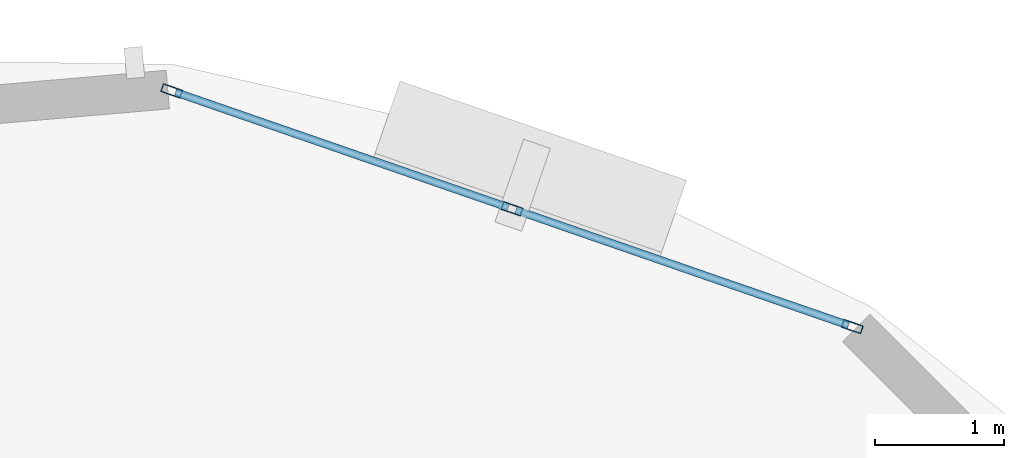
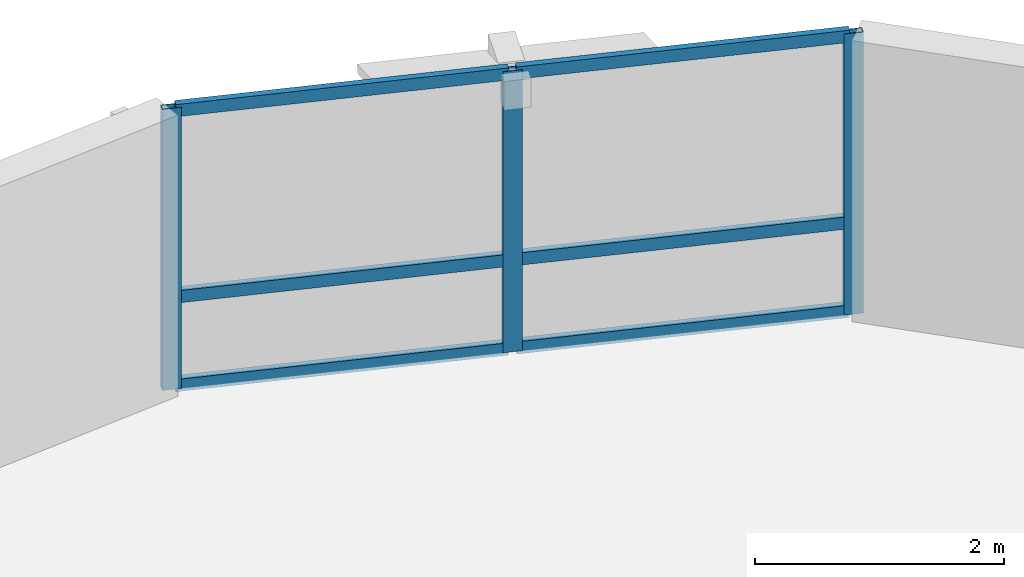
# One storey, part 5 of 11: 9 members, 1 element without a shape of its own.
"""IFC4 building model written with IfcOpenShell, lengths in metres."""

from ifc_helpers import new_model, si_unit, direction, frame, origin, origin_2d, place, context, subcontext, project, spatial, hollow_rectangle, extrude, material, layer, layer_set, material_profile, profile_set, type_object, element, aggregate, save


model = new_model("IFC4")

# Units and contexts
model_context = context("Model", 3, precision=1e-05, world=origin(), true_north=direction((0.0, 1.0)))
body_context = subcontext(model_context, "Body", "Model", "MODEL_VIEW")
ifc_project = project(units=[si_unit("LENGTHUNIT", "METRE"), si_unit("AREAUNIT", "SQUARE_METRE"), si_unit("VOLUMEUNIT", "CUBIC_METRE"), si_unit("PLANEANGLEUNIT", "RADIAN"), si_unit("MASSUNIT", "GRAM", prefix="KILO"), si_unit("THERMODYNAMICTEMPERATUREUNIT", "KELVIN"), si_unit("POWERUNIT", "WATT")], contexts=[model_context])

# Site, building, storey
site_placement = place(None, origin())
site = spatial("IfcSite", under=ifc_project, at=site_placement, CompositionType="ELEMENT")
building_placement = place(site_placement, origin())
building = spatial("IfcBuilding", under=site, at=building_placement, Name="Ocrelia Relay Tower", CompositionType="ELEMENT")
storey_placement = place(building_placement, frame((0.0, 0.0, 270.0)))
storey = spatial("IfcBuildingStorey", under=building, at=storey_placement, Name="L67", CompositionType="ELEMENT", Elevation=270.0)

# Curtain wall, members
ifc_material_1 = material(Name="Aluminium and solar-control low-E glass", Category="aluminium")
ifc_layer = layer(ifc_material_1, 0.179931640625, Name="Aluminium and solar-control low-E glass")
ifc_layer_set = layer_set([ifc_layer], Name="Aluminium and solar-control low-E glass")
curtain_wall_type = type_object("IfcCurtainWallType", Name="CW-SYS-Z4-EXEC", PredefinedType="NOTDEFINED", material=ifc_layer_set)
curtain_wall_placement = place(storey_placement, origin())
curtain_wall = element("IfcCurtainWall", 1, at=curtain_wall_placement, inside=storey, type_object=curtain_wall_type, Name="L67 Elliptical Tower Curtain Wall Bay 01", PredefinedType="NOTDEFINED")
ifc_material_2 = material(Name="Anodised bronze aluminium", Category="aluminium")
ifc_material_profile_1 = material_profile(ifc_material_2, hollow_rectangle(XDim=0.06494140625, YDim=0.159912109375, WallThickness=0.0048828125, at=origin_2d()), Name="CW-MUL-160x65")
ifc_profile_set_1 = profile_set([ifc_material_profile_1], Name="Anodised bronze aluminium")
member_type_1 = type_object("IfcMemberType", Name="CW-SYS-Z4-EXEC-MUL", PredefinedType="MULLION", material=ifc_profile_set_1)
member_1_placement = place(storey_placement, frame((45.113037109375, 43.809814453125, 0.0), z_axis=(0.0, 0.0, 1.0), x_axis=(-0.327186545839, -0.944959768573, 0.0)))
member_1 = element("IfcMember", 2, at=member_1_placement, type_object=member_type_1, Name="CW-Z4 mullion 1", PredefinedType="MULLION", context=body_context, shape_type="SweptSolid", body=[
    extrude(hollow_rectangle(XDim=0.06494140625, YDim=0.159912109375, WallThickness=0.0048828125, at=origin_2d()), origin(), (0.0, 0.0, 1.0), 2.760009765625),
])
member_2_placement = place(storey_placement, frame((42.47412109375, 44.7236328125, 0.0), z_axis=(0.0, 0.0, 1.0), x_axis=(-0.327186545839, -0.944959768573, 0.0)))
member_2 = element("IfcMember", 3, at=member_2_placement, type_object=member_type_1, Name="CW-Z4 mullion 2", PredefinedType="MULLION", context=body_context, shape_type="SweptSolid", body=[
    extrude(hollow_rectangle(XDim=0.06494140625, YDim=0.159912109375, WallThickness=0.0048828125, at=origin_2d()), origin(), (0.0, 0.0, 1.0), 2.760009765625),
])
member_3_placement = place(storey_placement, frame((39.835205078125, 45.637451171875, 0.0), z_axis=(0.0, 0.0, 1.0), x_axis=(-0.327186545839, -0.944959768573, 0.0)))
member_3 = element("IfcMember", 4, at=member_3_placement, type_object=member_type_1, Name="CW-Z4 mullion 3", PredefinedType="MULLION", context=body_context, shape_type="SweptSolid", body=[
    extrude(hollow_rectangle(XDim=0.06494140625, YDim=0.159912109375, WallThickness=0.0048828125, at=origin_2d()), origin(), (0.0, 0.0, 1.0), 2.760009765625),
])
ifc_material_profile_2 = material_profile(ifc_material_2, hollow_rectangle(XDim=0.06005859375, YDim=0.1201171875, WallThickness=0.0048828125, at=origin_2d()), Name="CW-TRN-120x60")
ifc_profile_set_2 = profile_set([ifc_material_profile_2], Name="Anodised bronze aluminium")
member_type_2 = type_object("IfcMemberType", Name="CW-SYS-Z4-EXEC-TRN", PredefinedType="USERDEFINED", material=ifc_profile_set_2)
member_4_placement = place(storey_placement, frame((45.082275390625, 43.820556640625, 0.030029296875), z_axis=(-0.94494030494, 0.327242754084, 0.0), x_axis=(-0.327242754084, -0.94494030494, 0.0)))
member_4 = element("IfcMember", 5, at=member_4_placement, type_object=member_type_2, Name="CW-Z4 transom 1.1", ObjectType="TRANSOM", PredefinedType="USERDEFINED", context=body_context, shape_type="SweptSolid", body=[
    extrude(hollow_rectangle(XDim=0.06005859375, YDim=0.1201171875, WallThickness=0.0048828125, at=origin_2d()), origin(), (0.0, 0.0, 1.0), 2.7275390625),
])
member_5_placement = place(storey_placement, frame((45.082275390625, 43.820556640625, 0.89990234375), z_axis=(-0.94494030494, 0.327242754084, 0.0), x_axis=(-0.327242754084, -0.94494030494, 0.0)))
member_5 = element("IfcMember", 6, at=member_5_placement, type_object=member_type_2, Name="CW-Z4 transom 1.2", ObjectType="TRANSOM", PredefinedType="USERDEFINED", context=body_context, shape_type="SweptSolid", body=[
    extrude(hollow_rectangle(XDim=0.06005859375, YDim=0.1201171875, WallThickness=0.0048828125, at=origin_2d()), origin(), (0.0, 0.0, 1.0), 2.7275390625),
])
member_6_placement = place(storey_placement, frame((45.082275390625, 43.820556640625, 2.72998046875), z_axis=(-0.94494030494, 0.327242754084, 0.0), x_axis=(-0.327242754084, -0.94494030494, 0.0)))
member_6 = element("IfcMember", 7, at=member_6_placement, type_object=member_type_2, Name="CW-Z4 transom 1.3", ObjectType="TRANSOM", PredefinedType="USERDEFINED", context=body_context, shape_type="SweptSolid", body=[
    extrude(hollow_rectangle(XDim=0.06005859375, YDim=0.1201171875, WallThickness=0.0048828125, at=origin_2d()), origin(), (0.0, 0.0, 1.0), 2.7275390625),
])
member_7_placement = place(storey_placement, frame((42.443359375, 44.734375, 0.030029296875), z_axis=(-0.944967980597, 0.327162827421, 0.0), x_axis=(-0.327162827421, -0.944967980597, 0.0)))
member_7 = element("IfcMember", 8, at=member_7_placement, type_object=member_type_2, Name="CW-Z4 transom 2.1", ObjectType="TRANSOM", PredefinedType="USERDEFINED", context=body_context, shape_type="SweptSolid", body=[
    extrude(hollow_rectangle(XDim=0.06005859375, YDim=0.1201171875, WallThickness=0.0048828125, at=origin_2d()), origin(), (0.0, 0.0, 1.0), 2.7275390625),
])
member_8_placement = place(storey_placement, frame((42.443359375, 44.734375, 0.89990234375), z_axis=(-0.944967980597, 0.327162827421, 0.0), x_axis=(-0.327162827421, -0.944967980597, 0.0)))
member_8 = element("IfcMember", 9, at=member_8_placement, type_object=member_type_2, Name="CW-Z4 transom 2.2", ObjectType="TRANSOM", PredefinedType="USERDEFINED", context=body_context, shape_type="SweptSolid", body=[
    extrude(hollow_rectangle(XDim=0.06005859375, YDim=0.1201171875, WallThickness=0.0048828125, at=origin_2d()), origin(), (0.0, 0.0, 1.0), 2.7275390625),
])
member_9_placement = place(storey_placement, frame((42.443359375, 44.734375, 2.72998046875), z_axis=(-0.944967980597, 0.327162827421, 0.0), x_axis=(-0.327162827421, -0.944967980597, 0.0)))
member_9 = element("IfcMember", 10, at=member_9_placement, type_object=member_type_2, Name="CW-Z4 transom 2.3", ObjectType="TRANSOM", PredefinedType="USERDEFINED", context=body_context, shape_type="SweptSolid", body=[
    extrude(hollow_rectangle(XDim=0.06005859375, YDim=0.1201171875, WallThickness=0.0048828125, at=origin_2d()), origin(), (0.0, 0.0, 1.0), 2.7275390625),
])
aggregate(curtain_wall, [member_1, member_2, member_3, member_4, member_5, member_6, member_7, member_8, member_9])

save(model, "model.ifc")
